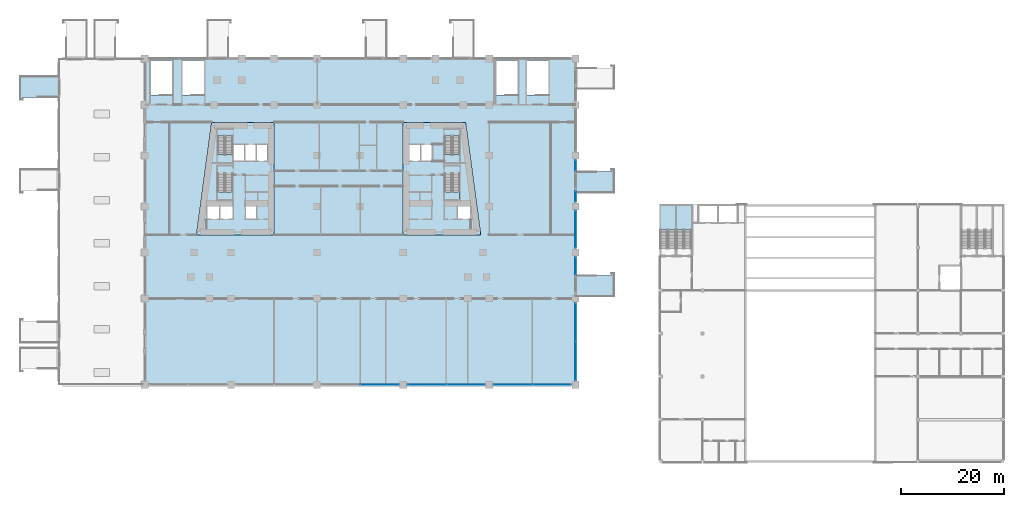
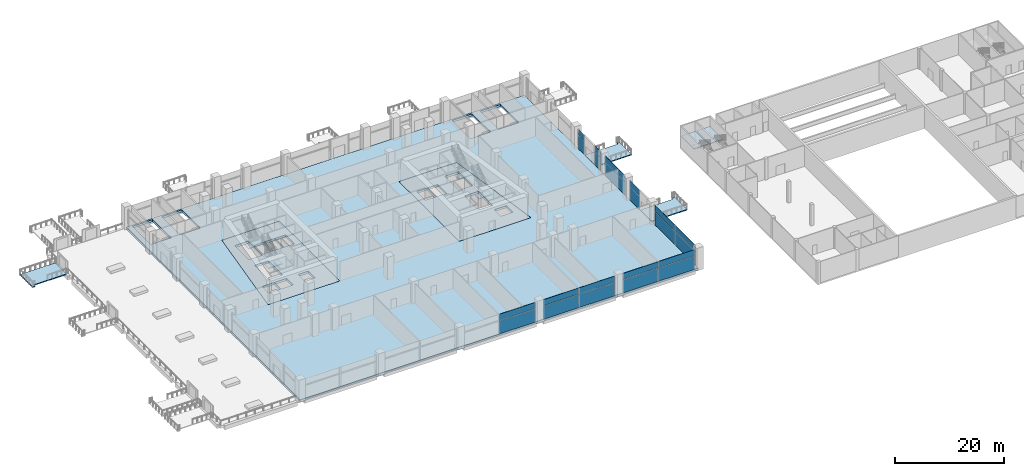
# One storey, part 12 of 33: 22 plates, 12 slabs, 14 elements without a shape of their own.
"""IFC4 building model written with IfcOpenShell, lengths in metres."""

from ifc_helpers import new_model, si_unit, direction, frame, origin, origin_2d, place, context, subcontext, project, spatial, polyline, rectangle, outline, extrude, material, layer, layer_set, type_object, element, aggregate, save


model = new_model("IFC4")

# Units and contexts
model_context = context("Model", 3, precision=1e-05, world=origin(), true_north=direction((0.0, 1.0)))
body_context = subcontext(model_context, "Body", "Model", "MODEL_VIEW")
ifc_project = project(units=[si_unit("LENGTHUNIT", "METRE"), si_unit("AREAUNIT", "SQUARE_METRE"), si_unit("VOLUMEUNIT", "CUBIC_METRE"), si_unit("PLANEANGLEUNIT", "RADIAN"), si_unit("MASSUNIT", "GRAM", prefix="KILO")], contexts=[model_context])

# Site, building, storey
site_placement = place(None, origin())
site = spatial("IfcSite", under=ifc_project, at=site_placement, CompositionType="ELEMENT")
building_placement = place(site_placement, origin())
building = spatial("IfcBuilding", under=site, at=building_placement, Name="Candeia Pilgrim Tower and Theatre", CompositionType="ELEMENT")
storey_placement = place(building_placement, frame((0.0, 0.0, 29.0)))
storey = spatial("IfcBuildingStorey", under=building, at=storey_placement, Name="L04", CompositionType="ELEMENT", Elevation=29.0)

# Curtain wall, plates
ifc_material_1 = material(Name="Aluminium framed podium glazing", Category="aluminium")
curtain_wall_type = type_object("IfcCurtainWallType", Name="CW-P curtain wall", PredefinedType="NOTDEFINED", material=ifc_material_1)
curtain_wall_1_placement = place(storey_placement, origin())
curtain_wall_1 = element("IfcCurtainWall", 1, at=curtain_wall_1_placement, inside=storey, type_object=curtain_wall_type, Name="Curtain wall CW-P L04.220", PredefinedType="NOTDEFINED")
ifc_material_2 = material(Name="Laminated low-iron glass 2 x 8 mm", Category="glass")
ifc_layer_1 = layer(ifc_material_2, 0.035888671875)
ifc_layer_set_1 = layer_set([ifc_layer_1], Name="CW-P glass panel 36")
plate_type = type_object("IfcPlateType", Name="CW-P glass panel 36", PredefinedType="CURTAIN_PANEL", material=ifc_layer_set_1)
plate_1_placement = place(storey_placement, frame((159.60009765625, 123.97509765625, 0.0), z_axis=(0.0, 0.0, 1.0), x_axis=(0.0, -1.0, 0.0)))
plate_1 = element("IfcPlate", 2, at=plate_1_placement, type_object=plate_type, Name="CW-P panel 1.1", PredefinedType="CURTAIN_PANEL", context=body_context, shape_type="SweptSolid", body=[
    extrude(rectangle(XDim=2.070068359375, YDim=0.035888671875, at=origin_2d()), origin(), (0.0, 0.0, 1.0), 2.9599609375),
])
plate_2_placement = place(storey_placement, frame((159.60009765625, 123.97509765625, 3.0400390625), z_axis=(0.0, 0.0, 1.0), x_axis=(0.0, -1.0, 0.0)))
plate_2 = element("IfcPlate", 3, at=plate_2_placement, type_object=plate_type, Name="CW-P panel 1.2", PredefinedType="CURTAIN_PANEL", context=body_context, shape_type="SweptSolid", body=[
    extrude(rectangle(XDim=2.070068359375, YDim=0.035888671875, at=origin_2d()), origin(), (0.0, 0.0, 1.0), 1.360107421875),
])
aggregate(curtain_wall_1, [plate_1, plate_2])

curtain_wall_2_placement = place(storey_placement, origin())
curtain_wall_2 = element("IfcCurtainWall", 4, at=curtain_wall_2_placement, inside=storey, type_object=curtain_wall_type, Name="Curtain wall CW-P L04.221", PredefinedType="NOTDEFINED")
plate_3_placement = place(storey_placement, frame((159.60009765625, 117.925048828125, 0.0), z_axis=(0.0, 0.0, 1.0), x_axis=(0.0, -1.0, 0.0)))
plate_3 = element("IfcPlate", 5, at=plate_3_placement, type_object=plate_type, Name="CW-P panel 1.1", PredefinedType="CURTAIN_PANEL", context=body_context, shape_type="SweptSolid", body=[
    extrude(rectangle(XDim=2.070068359375, YDim=0.035888671875, at=origin_2d()), origin(), (0.0, 0.0, 1.0), 2.9599609375),
])
plate_4_placement = place(storey_placement, frame((159.60009765625, 117.925048828125, 3.0400390625), z_axis=(0.0, 0.0, 1.0), x_axis=(0.0, -1.0, 0.0)))
plate_4 = element("IfcPlate", 6, at=plate_4_placement, type_object=plate_type, Name="CW-P panel 1.2", PredefinedType="CURTAIN_PANEL", context=body_context, shape_type="SweptSolid", body=[
    extrude(rectangle(XDim=2.070068359375, YDim=0.035888671875, at=origin_2d()), origin(), (0.0, 0.0, 1.0), 1.360107421875),
])
aggregate(curtain_wall_2, [plate_3, plate_4])

curtain_wall_3_placement = place(storey_placement, origin())
curtain_wall_3 = element("IfcCurtainWall", 7, at=curtain_wall_3_placement, inside=storey, type_object=curtain_wall_type, Name="Curtain wall CW-P L04.230", PredefinedType="NOTDEFINED")
plate_5_placement = place(storey_placement, frame((159.60009765625, 111.5, 0.0), z_axis=(0.0, 0.0, 1.0), x_axis=(0.0, -1.0, 0.0)))
plate_5 = element("IfcPlate", 8, at=plate_5_placement, type_object=plate_type, Name="CW-P panel 1.1", PredefinedType="CURTAIN_PANEL", context=body_context, shape_type="SweptSolid", body=[
    extrude(rectangle(XDim=7.219970703125, YDim=0.035888671875, at=origin_2d()), origin(), (0.0, 0.0, 1.0), 2.9599609375),
])
plate_6_placement = place(storey_placement, frame((159.60009765625, 111.5, 3.0400390625), z_axis=(0.0, 0.0, 1.0), x_axis=(0.0, -1.0, 0.0)))
plate_6 = element("IfcPlate", 9, at=plate_6_placement, type_object=plate_type, Name="CW-P panel 1.2", PredefinedType="CURTAIN_PANEL", context=body_context, shape_type="SweptSolid", body=[
    extrude(rectangle(XDim=7.219970703125, YDim=0.035888671875, at=origin_2d()), origin(), (0.0, 0.0, 1.0), 1.360107421875),
])
aggregate(curtain_wall_3, [plate_5, plate_6])

curtain_wall_4_placement = place(storey_placement, origin())
curtain_wall_4 = element("IfcCurtainWall", 10, at=curtain_wall_4_placement, inside=storey, type_object=curtain_wall_type, Name="Curtain wall CW-P L04.240", PredefinedType="NOTDEFINED")
plate_7_placement = place(storey_placement, frame((159.60009765625, 104.39990234375, 0.0), z_axis=(0.0, 0.0, 1.0), x_axis=(0.0, -1.0, 0.0)))
plate_7 = element("IfcPlate", 11, at=plate_7_placement, type_object=plate_type, Name="CW-P panel 1.1", PredefinedType="CURTAIN_PANEL", context=body_context, shape_type="SweptSolid", body=[
    extrude(rectangle(XDim=3.419921875, YDim=0.035888671875, at=origin_2d()), origin(), (0.0, 0.0, 1.0), 2.9599609375),
])
plate_8_placement = place(storey_placement, frame((159.60009765625, 104.39990234375, 3.0400390625), z_axis=(0.0, 0.0, 1.0), x_axis=(0.0, -1.0, 0.0)))
plate_8 = element("IfcPlate", 12, at=plate_8_placement, type_object=plate_type, Name="CW-P panel 1.2", PredefinedType="CURTAIN_PANEL", context=body_context, shape_type="SweptSolid", body=[
    extrude(rectangle(XDim=3.419921875, YDim=0.035888671875, at=origin_2d()), origin(), (0.0, 0.0, 1.0), 1.360107421875),
])
aggregate(curtain_wall_4, [plate_7, plate_8])

curtain_wall_5_placement = place(storey_placement, origin())
curtain_wall_5 = element("IfcCurtainWall", 13, at=curtain_wall_5_placement, inside=storey, type_object=curtain_wall_type, Name="Curtain wall CW-P L04.250", PredefinedType="NOTDEFINED")
plate_9_placement = place(storey_placement, frame((159.60009765625, 93.375, 0.0), z_axis=(0.0, 0.0, 1.0), x_axis=(0.0, -1.0, 0.0)))
plate_9 = element("IfcPlate", 14, at=plate_9_placement, type_object=plate_type, Name="CW-P panel 1.1", PredefinedType="CURTAIN_PANEL", context=body_context, shape_type="SweptSolid", body=[
    extrude(rectangle(XDim=7.469970703125, YDim=0.035888671875, at=origin_2d()), origin(), (0.0, 0.0, 1.0), 2.9599609375),
])
plate_10_placement = place(storey_placement, frame((159.60009765625, 93.375, 3.0400390625), z_axis=(0.0, 0.0, 1.0), x_axis=(0.0, -1.0, 0.0)))
plate_10 = element("IfcPlate", 15, at=plate_10_placement, type_object=plate_type, Name="CW-P panel 1.2", PredefinedType="CURTAIN_PANEL", context=body_context, shape_type="SweptSolid", body=[
    extrude(rectangle(XDim=7.469970703125, YDim=0.035888671875, at=origin_2d()), origin(), (0.0, 0.0, 1.0), 1.360107421875),
])
plate_11_placement = place(storey_placement, frame((159.60009765625, 85.824951171875, 0.0), z_axis=(0.0, 0.0, 1.0), x_axis=(0.0, -1.0, 0.0)))
plate_11 = element("IfcPlate", 16, at=plate_11_placement, type_object=plate_type, Name="CW-P panel 2.1", PredefinedType="CURTAIN_PANEL", context=body_context, shape_type="SweptSolid", body=[
    extrude(rectangle(XDim=7.469970703125, YDim=0.035888671875, at=origin_2d()), origin(), (0.0, 0.0, 1.0), 2.9599609375),
])
plate_12_placement = place(storey_placement, frame((159.60009765625, 85.824951171875, 3.0400390625), z_axis=(0.0, 0.0, 1.0), x_axis=(0.0, -1.0, 0.0)))
plate_12 = element("IfcPlate", 17, at=plate_12_placement, type_object=plate_type, Name="CW-P panel 2.2", PredefinedType="CURTAIN_PANEL", context=body_context, shape_type="SweptSolid", body=[
    extrude(rectangle(XDim=7.469970703125, YDim=0.035888671875, at=origin_2d()), origin(), (0.0, 0.0, 1.0), 1.360107421875),
])
aggregate(curtain_wall_5, [plate_9, plate_10, plate_11, plate_12])

curtain_wall_6_placement = place(storey_placement, origin())
curtain_wall_6 = element("IfcCurtainWall", 18, at=curtain_wall_6_placement, inside=storey, type_object=curtain_wall_type, Name="Curtain wall CW-P L04.300", PredefinedType="NOTDEFINED")
plate_13_placement = place(storey_placement, frame((154.97509765625, 81.199951171875, 0.0), z_axis=(0.0, 0.0, 1.0), x_axis=(-1.0, 0.0, 0.0)))
plate_13 = element("IfcPlate", 19, at=plate_13_placement, type_object=plate_type, Name="CW-P panel 1.1", PredefinedType="CURTAIN_PANEL", context=body_context, shape_type="SweptSolid", body=[
    extrude(rectangle(XDim=7.469970703125, YDim=0.035888671875, at=origin_2d()), origin(), (0.0, 0.0, 1.0), 2.9599609375),
])
plate_14_placement = place(storey_placement, frame((154.97509765625, 81.199951171875, 3.0400390625), z_axis=(0.0, 0.0, 1.0), x_axis=(-1.0, 0.0, 0.0)))
plate_14 = element("IfcPlate", 20, at=plate_14_placement, type_object=plate_type, Name="CW-P panel 1.2", PredefinedType="CURTAIN_PANEL", context=body_context, shape_type="SweptSolid", body=[
    extrude(rectangle(XDim=7.469970703125, YDim=0.035888671875, at=origin_2d()), origin(), (0.0, 0.0, 1.0), 1.360107421875),
])
plate_15_placement = place(storey_placement, frame((147.425048828125, 81.199951171875, 0.0), z_axis=(0.0, 0.0, 1.0), x_axis=(-1.0, 0.0, 0.0)))
plate_15 = element("IfcPlate", 21, at=plate_15_placement, type_object=plate_type, Name="CW-P panel 2.1", PredefinedType="CURTAIN_PANEL", context=body_context, shape_type="SweptSolid", body=[
    extrude(rectangle(XDim=7.469970703125, YDim=0.035888671875, at=origin_2d()), origin(), (0.0, 0.0, 1.0), 2.9599609375),
])
plate_16_placement = place(storey_placement, frame((147.425048828125, 81.199951171875, 3.0400390625), z_axis=(0.0, 0.0, 1.0), x_axis=(-1.0, 0.0, 0.0)))
plate_16 = element("IfcPlate", 22, at=plate_16_placement, type_object=plate_type, Name="CW-P panel 2.2", PredefinedType="CURTAIN_PANEL", context=body_context, shape_type="SweptSolid", body=[
    extrude(rectangle(XDim=7.469970703125, YDim=0.035888671875, at=origin_2d()), origin(), (0.0, 0.0, 1.0), 1.360107421875),
])
aggregate(curtain_wall_6, [plate_13, plate_14, plate_15, plate_16])

curtain_wall_7_placement = place(storey_placement, origin())
curtain_wall_7 = element("IfcCurtainWall", 23, at=curtain_wall_7_placement, inside=storey, type_object=curtain_wall_type, Name="Curtain wall CW-P L04.310", PredefinedType="NOTDEFINED")
plate_17_placement = place(storey_placement, frame((138.175048828125, 81.199951171875, 0.0), z_axis=(0.0, 0.0, 1.0), x_axis=(-1.0, 0.0, 0.0)))
plate_17 = element("IfcPlate", 24, at=plate_17_placement, type_object=plate_type, Name="CW-P panel 1.1", PredefinedType="CURTAIN_PANEL", context=body_context, shape_type="SweptSolid", body=[
    extrude(rectangle(XDim=7.469970703125, YDim=0.035888671875, at=origin_2d()), origin(), (0.0, 0.0, 1.0), 2.9599609375),
])
plate_18_placement = place(storey_placement, frame((138.175048828125, 81.199951171875, 3.0400390625), z_axis=(0.0, 0.0, 1.0), x_axis=(-1.0, 0.0, 0.0)))
plate_18 = element("IfcPlate", 25, at=plate_18_placement, type_object=plate_type, Name="CW-P panel 1.2", PredefinedType="CURTAIN_PANEL", context=body_context, shape_type="SweptSolid", body=[
    extrude(rectangle(XDim=7.469970703125, YDim=0.035888671875, at=origin_2d()), origin(), (0.0, 0.0, 1.0), 1.360107421875),
])
plate_19_placement = place(storey_placement, frame((130.625, 81.199951171875, 0.0), z_axis=(0.0, 0.0, 1.0), x_axis=(-1.0, 0.0, 0.0)))
plate_19 = element("IfcPlate", 26, at=plate_19_placement, type_object=plate_type, Name="CW-P panel 2.1", PredefinedType="CURTAIN_PANEL", context=body_context, shape_type="SweptSolid", body=[
    extrude(rectangle(XDim=7.469970703125, YDim=0.035888671875, at=origin_2d()), origin(), (0.0, 0.0, 1.0), 2.9599609375),
])
plate_20_placement = place(storey_placement, frame((130.625, 81.199951171875, 3.0400390625), z_axis=(0.0, 0.0, 1.0), x_axis=(-1.0, 0.0, 0.0)))
plate_20 = element("IfcPlate", 27, at=plate_20_placement, type_object=plate_type, Name="CW-P panel 2.2", PredefinedType="CURTAIN_PANEL", context=body_context, shape_type="SweptSolid", body=[
    extrude(rectangle(XDim=7.469970703125, YDim=0.035888671875, at=origin_2d()), origin(), (0.0, 0.0, 1.0), 1.360107421875),
])
aggregate(curtain_wall_7, [plate_17, plate_18, plate_19, plate_20])

curtain_wall_8_placement = place(storey_placement, origin())
curtain_wall_8 = element("IfcCurtainWall", 28, at=curtain_wall_8_placement, inside=storey, type_object=curtain_wall_type, Name="Curtain wall CW-P L04.320", PredefinedType="NOTDEFINED")
plate_21_placement = place(storey_placement, frame((121.375, 81.199951171875, 0.0), z_axis=(0.0, 0.0, 1.0), x_axis=(-1.0, 0.0, 0.0)))
plate_21 = element("IfcPlate", 29, at=plate_21_placement, type_object=plate_type, Name="CW-P panel 1.1", PredefinedType="CURTAIN_PANEL", context=body_context, shape_type="SweptSolid", body=[
    extrude(rectangle(XDim=7.469970703125, YDim=0.035888671875, at=origin_2d()), origin(), (0.0, 0.0, 1.0), 2.9599609375),
])
plate_22_placement = place(storey_placement, frame((121.375, 81.199951171875, 3.0400390625), z_axis=(0.0, 0.0, 1.0), x_axis=(-1.0, 0.0, 0.0)))
plate_22 = element("IfcPlate", 30, at=plate_22_placement, type_object=plate_type, Name="CW-P panel 1.2", PredefinedType="CURTAIN_PANEL", context=body_context, shape_type="SweptSolid", body=[
    extrude(rectangle(XDim=7.469970703125, YDim=0.035888671875, at=origin_2d()), origin(), (0.0, 0.0, 1.0), 1.360107421875),
])
aggregate(curtain_wall_8, [plate_21, plate_22])

# Slabs
ifc_material_3 = material(Name="Concrete C60/75", Category="concrete")
ifc_layer_2 = layer(ifc_material_3, 0.5)
ifc_layer_set_2 = layer_set([ifc_layer_2], Name="FS-CORE 500 core floor")
slab_type_1 = type_object("IfcSlabType", Name="FS-CORE 500 core floor", PredefinedType="FLOOR", material=ifc_layer_set_2)
slab_1_placement = place(storey_placement, frame((0.0, 0.0, -0.5)))
element("IfcSlab", 31, at=slab_1_placement, inside=storey, type_object=slab_type_1, Name="Core floor W L04", PredefinedType="FLOOR", context=body_context, shape_type="SweptSolid", body=[
    extrude(outline(polyline([(100.800048828125, 132.39990234375), (100.800048828125, 110.39990234375), (85.669189453125, 110.39990234375), (88.630859375, 132.39990234375), (100.800048828125, 132.39990234375)]), holes=[polyline([(97.392333984375, 128.050048828125), (97.392333984375, 124.85009765625), (99.550048828125, 124.85009765625), (99.550048828125, 128.050048828125), (97.392333984375, 128.050048828125)]), polyline([(95.277099609375, 115.949951171875), (95.277099609375, 113.550048828125), (97.363525390625, 113.550048828125), (97.363525390625, 115.949951171875), (95.277099609375, 115.949951171875)]), polyline([(95.134765625, 128.050048828125), (95.134765625, 124.85009765625), (97.292236328125, 124.85009765625), (97.292236328125, 128.050048828125), (95.134765625, 128.050048828125)]), polyline([(92.876953125, 128.050048828125), (92.876953125, 124.85009765625), (95.03466796875, 124.85009765625), (95.03466796875, 128.050048828125), (92.876953125, 128.050048828125)]), polyline([(90.279052734375, 115.949951171875), (90.279052734375, 113.550048828125), (92.777099609375, 113.550048828125), (92.777099609375, 115.949951171875), (90.279052734375, 115.949951171875)]), polyline([(89.802001953125, 122.455078125), (89.802001953125, 117.324951171875), (92.701904296875, 117.324951171875), (92.701904296875, 122.455078125), (89.802001953125, 122.455078125)]), polyline([(89.802001953125, 129.705078125), (89.802001953125, 124.574951171875), (92.701904296875, 124.574951171875), (92.701904296875, 129.705078125), (89.802001953125, 129.705078125)]), polyline([(87.680908203125, 115.949951171875), (87.680908203125, 113.550048828125), (90.178955078125, 113.550048828125), (90.178955078125, 115.949951171875), (87.680908203125, 115.949951171875)])]), origin(), (0.0, 0.0, 1.0), 0.5),
])
slab_2_placement = place(storey_placement, frame((0.0, 0.0, -0.5)))
element("IfcSlab", 32, at=slab_2_placement, inside=storey, type_object=slab_type_1, Name="Core floor E L04", PredefinedType="FLOOR", context=body_context, shape_type="SweptSolid", body=[
    extrude(outline(polyline([(138.169189453125, 132.39990234375), (141.130859375, 110.39990234375), (126.0, 110.39990234375), (126.0, 132.39990234375), (138.169189453125, 132.39990234375)]), holes=[polyline([(136.62109375, 115.949951171875), (136.62109375, 113.550048828125), (139.118896484375, 113.550048828125), (139.118896484375, 115.949951171875), (136.62109375, 115.949951171875)]), polyline([(134.097900390625, 117.324951171875), (136.998046875, 117.324951171875), (136.998046875, 122.455078125), (134.097900390625, 122.455078125), (134.097900390625, 117.324951171875)]), polyline([(134.097900390625, 129.705078125), (134.097900390625, 124.574951171875), (136.998046875, 124.574951171875), (136.998046875, 129.705078125), (134.097900390625, 129.705078125)]), polyline([(131.665283203125, 128.050048828125), (129.5078125, 128.050048828125), (129.5078125, 124.85009765625), (131.665283203125, 124.85009765625), (131.665283203125, 128.050048828125)]), polyline([(127.25, 128.050048828125), (127.25, 124.85009765625), (129.40771484375, 124.85009765625), (129.40771484375, 128.050048828125), (127.25, 128.050048828125)])]), origin(), (0.0, 0.0, 1.0), 0.5),
])
ifc_material_4 = material(Name="Concrete C50/60", Category="concrete")
ifc_layer_3 = layer(ifc_material_4, 0.5)
ifc_layer_set_3 = layer_set([ifc_layer_3], Name="Floor slab 500 C50/60")
slab_type_2 = type_object("IfcSlabType", Name="Floor slab 500 C50/60", PredefinedType="FLOOR", material=ifc_layer_set_3)
slab_3_placement = place(storey_placement, frame((0.0, 0.0, -0.5)))
element("IfcSlab", 33, at=slab_3_placement, inside=storey, type_object=slab_type_2, Name="Floor slab L04", PredefinedType="FLOOR", context=body_context, shape_type="SweptSolid", body=[
    extrude(outline(polyline([(75.60009765625, 144.800048828125), (159.60009765625, 144.800048828125), (159.60009765625, 81.199951171875), (75.60009765625, 81.199951171875), (75.60009765625, 144.800048828125)]), holes=[polyline([(85.669189453125, 110.39990234375), (100.800048828125, 110.39990234375), (100.800048828125, 132.39990234375), (88.630859375, 132.39990234375), (85.669189453125, 110.39990234375)]), polyline([(126.0, 110.39990234375), (141.130859375, 110.39990234375), (138.169189453125, 132.39990234375), (126.0, 132.39990234375), (126.0, 110.39990234375)]), polyline([(80.97509765625, 144.425048828125), (76.72509765625, 144.425048828125), (76.72509765625, 137.7451171875), (80.97509765625, 137.7451171875), (80.97509765625, 144.425048828125)]), polyline([(87.175048828125, 144.425048828125), (82.925048828125, 144.425048828125), (82.925048828125, 137.7451171875), (87.175048828125, 137.7451171875), (87.175048828125, 144.425048828125)]), polyline([(148.375, 144.425048828125), (144.125, 144.425048828125), (144.125, 137.7451171875), (148.375, 137.7451171875), (148.375, 144.425048828125)]), polyline([(154.375, 144.425048828125), (150.125, 144.425048828125), (150.125, 137.7451171875), (154.375, 137.7451171875), (154.375, 144.425048828125)])]), origin(), (0.0, 0.0, 1.0), 0.5),
])
ifc_material_5 = material(Name="Concrete C40/50", Category="concrete")
ifc_layer_4 = layer(ifc_material_5, 0.199951171875)
ifc_layer_set_4 = layer_set([ifc_layer_4], Name="SL-EXT stair landing")
slab_type_3 = type_object("IfcSlabType", Name="SL-EXT stair landing", PredefinedType="LANDING", material=ifc_layer_set_4)
slab_4_placement = place(storey_placement, frame((0.0, 0.0, -0.199951171875)))
element("IfcSlab", 34, at=slab_4_placement, inside=storey, type_object=slab_type_3, Name="L04 External escape stair ES1 floor landing", PredefinedType="LANDING", context=body_context, shape_type="SweptSolid", body=[
    extrude(outline(polyline([(159.64990234375, 98.39990234375), (159.64990234375, 102.52001953125), (166.64990234375, 102.52001953125), (166.64990234375, 103.0), (167.14990234375, 103.0), (167.14990234375, 98.39990234375), (159.64990234375, 98.39990234375)])), origin(), (0.0, 0.0, 1.0), 0.199951171875),
])
slab_5_placement = place(storey_placement, frame((0.0, 0.0, -0.199951171875)))
element("IfcSlab", 35, at=slab_5_placement, inside=storey, type_object=slab_type_3, Name="L04 External escape stair ES13 floor landing", PredefinedType="LANDING", context=body_context, shape_type="SweptSolid", body=[
    extrude(outline(polyline([(58.75, 141.39990234375), (58.75, 137.280029296875), (51.75, 137.280029296875), (51.75, 136.800048828125), (51.25, 136.800048828125), (51.25, 141.39990234375), (58.75, 141.39990234375)])), origin(), (0.0, 0.0, 1.0), 0.199951171875),
])
slab_6_placement = place(storey_placement, frame((0.0, 0.0, -0.199951171875)))
element("IfcSlab", 36, at=slab_6_placement, inside=storey, type_object=slab_type_3, Name="L04 External escape stair ES14 floor landing", PredefinedType="LANDING", context=body_context, shape_type="SweptSolid", body=[
    extrude(outline(polyline([(159.64990234375, 118.64990234375), (159.64990234375, 122.77001953125), (166.64990234375, 122.77001953125), (166.64990234375, 123.25), (167.14990234375, 123.25), (167.14990234375, 118.64990234375), (159.64990234375, 118.64990234375)])), origin(), (0.0, 0.0, 1.0), 0.199951171875),
])

# Stair, slab
stair_type_1 = type_object("IfcStairType", Name="ST-TWR dog-leg escape stair", PredefinedType="HALF_TURN_STAIR", material=ifc_material_5)
stair_1_placement = place(storey_placement, origin())
stair_1 = element("IfcStair", 37, at=stair_1_placement, inside=storey, type_object=stair_type_1, Name="L04 Escape stair ST1", PredefinedType="HALF_TURN_STAIR")
ifc_layer_5 = layer(ifc_material_5, 0.199951171875)
ifc_layer_set_5 = layer_set([ifc_layer_5], Name="SL-LANDING stair landing")
slab_type_4 = type_object("IfcSlabType", Name="SL-LANDING stair landing", PredefinedType="LANDING", material=ifc_layer_set_5)
slab_7_placement = place(storey_placement, frame((0.0, 0.0, 2.300048828125)))
slab_7 = element("IfcSlab", 38, at=slab_7_placement, type_object=slab_type_4, Name="ST1 landing 1", PredefinedType="LANDING", context=body_context, shape_type="SweptSolid", body=[
    extrude(outline(polyline([(89.802001953125, 118.8349609375), (89.802001953125, 117.324951171875), (92.701904296875, 117.324951171875), (92.701904296875, 118.8349609375), (89.802001953125, 118.8349609375)])), origin(), (0.0, 0.0, 1.0), 0.199951171875),
])
aggregate(stair_1, [slab_7])

stair_2_placement = place(storey_placement, origin())
stair_2 = element("IfcStair", 39, at=stair_2_placement, inside=storey, type_object=stair_type_1, Name="L04 Escape stair ST2", PredefinedType="HALF_TURN_STAIR")
slab_8_placement = place(storey_placement, frame((0.0, 0.0, 2.300048828125)))
slab_8 = element("IfcSlab", 40, at=slab_8_placement, type_object=slab_type_4, Name="ST2 landing 1", PredefinedType="LANDING", context=body_context, shape_type="SweptSolid", body=[
    extrude(outline(polyline([(89.802001953125, 126.0849609375), (89.802001953125, 124.574951171875), (92.701904296875, 124.574951171875), (92.701904296875, 126.0849609375), (89.802001953125, 126.0849609375)])), origin(), (0.0, 0.0, 1.0), 0.199951171875),
])
aggregate(stair_2, [slab_8])

stair_3_placement = place(storey_placement, origin())
stair_3 = element("IfcStair", 41, at=stair_3_placement, inside=storey, type_object=stair_type_1, Name="L04 Escape stair ST3", PredefinedType="HALF_TURN_STAIR")
slab_9_placement = place(storey_placement, frame((0.0, 0.0, 2.300048828125)))
slab_9 = element("IfcSlab", 42, at=slab_9_placement, type_object=slab_type_4, Name="ST3 landing 1", PredefinedType="LANDING", context=body_context, shape_type="SweptSolid", body=[
    extrude(outline(polyline([(134.097900390625, 118.8349609375), (134.097900390625, 117.324951171875), (136.998046875, 117.324951171875), (136.998046875, 118.8349609375), (134.097900390625, 118.8349609375)])), origin(), (0.0, 0.0, 1.0), 0.199951171875),
])
aggregate(stair_3, [slab_9])

stair_4_placement = place(storey_placement, origin())
stair_4 = element("IfcStair", 43, at=stair_4_placement, inside=storey, type_object=stair_type_1, Name="L04 Escape stair ST4", PredefinedType="HALF_TURN_STAIR")
slab_10_placement = place(storey_placement, frame((0.0, 0.0, 2.300048828125)))
slab_10 = element("IfcSlab", 44, at=slab_10_placement, type_object=slab_type_4, Name="ST4 landing 1", PredefinedType="LANDING", context=body_context, shape_type="SweptSolid", body=[
    extrude(outline(polyline([(134.097900390625, 126.0849609375), (134.097900390625, 124.574951171875), (136.998046875, 124.574951171875), (136.998046875, 126.0849609375), (134.097900390625, 126.0849609375)])), origin(), (0.0, 0.0, 1.0), 0.199951171875),
])
aggregate(stair_4, [slab_10])

ifc_material_6 = material(Name="Concrete C35/45", Category="concrete")
stair_type_2 = type_object("IfcStairType", Name="Theatre stair", PredefinedType="HALF_TURN_STAIR", material=ifc_material_6)
stair_5_placement = place(storey_placement, origin())
stair_5 = element("IfcStair", 45, at=stair_5_placement, inside=storey, type_object=stair_type_2, Name="L04 Theatre stair S1", PredefinedType="HALF_TURN_STAIR")
ifc_layer_6 = layer(ifc_material_6, 0.199951171875)
ifc_layer_set_6 = layer_set([ifc_layer_6], Name="Stair landing 200")
slab_type_5 = type_object("IfcSlabType", Name="Stair landing 200", PredefinedType="LANDING", material=ifc_layer_set_6)
slab_11_placement = place(storey_placement, frame((0.0, 0.0, 2.300048828125)))
slab_11 = element("IfcSlab", 46, at=slab_11_placement, type_object=slab_type_5, Name="TS1 landing 1", PredefinedType="LANDING", context=body_context, shape_type="SweptSolid", body=[
    extrude(outline(polyline([(179.10009765625, 111.4150390625), (179.10009765625, 116.14990234375), (176.125, 116.14990234375), (176.125, 111.4150390625), (179.10009765625, 111.4150390625)])), origin(), (0.0, 0.0, 1.0), 0.199951171875),
])
aggregate(stair_5, [slab_11])

stair_6_placement = place(storey_placement, origin())
stair_6 = element("IfcStair", 47, at=stair_6_placement, inside=storey, type_object=stair_type_2, Name="L04 Theatre stair S2", PredefinedType="HALF_TURN_STAIR")
slab_12_placement = place(storey_placement, frame((0.0, 0.0, 2.300048828125)))
slab_12 = element("IfcSlab", 48, at=slab_12_placement, type_object=slab_type_5, Name="TS2 landing 1", PredefinedType="LANDING", context=body_context, shape_type="SweptSolid", body=[
    extrude(outline(polyline([(182.199951171875, 111.4150390625), (182.199951171875, 116.14990234375), (179.35009765625, 116.14990234375), (179.35009765625, 111.4150390625), (182.199951171875, 111.4150390625)])), origin(), (0.0, 0.0, 1.0), 0.199951171875),
])
aggregate(stair_6, [slab_12])

save(model, "model.ifc")
